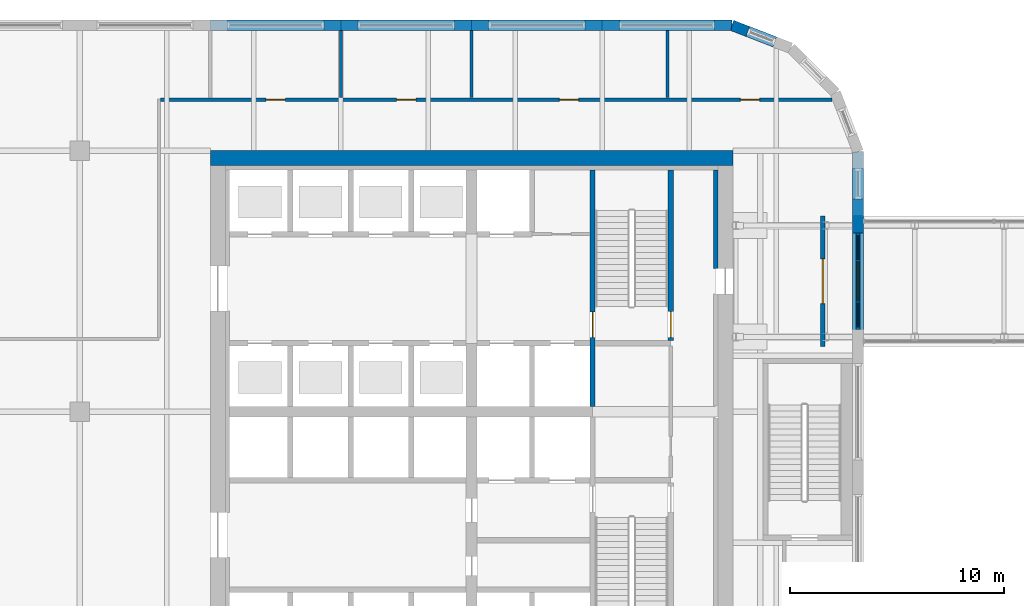
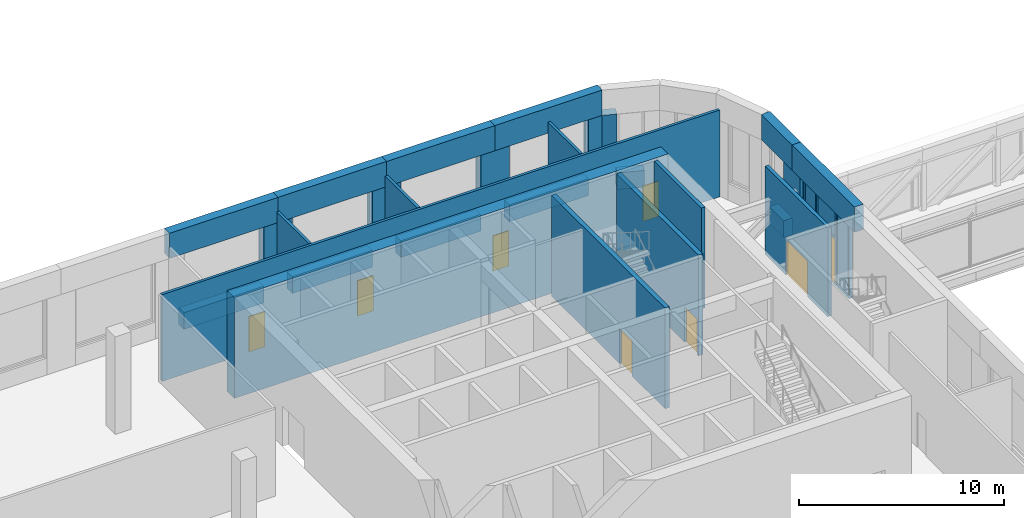
# One storey, part 25 of 36: 28 walls, 8 doors, 3 plates, 11 openings.
"""IFC4 building model written with IfcOpenShell, lengths in metres."""

import ifcopenshell
import ifcopenshell.guid

model = None  # the IFC model being written
_history = None  # IfcOwnerHistory: only IFC2X3 demands one
_inside = {}  # id of a spatial element -> (the spatial element, [elements in it])
_under = {}  # id of a project, library or spatial element -> (it, [spatial elements below it])
_declared = {}  # id of a project -> (the project, [libraries it declares])
_typed = {}  # id of a type object -> (the type object, [elements of that type])
_made_of = {}  # id of a material, layer set ... -> (it, [elements and type objects made of it])


def new_model(schema):
    """Start an empty IFC model of exactly this schema.

    Asked for "IFC4X3", IfcOpenShell would pick the latest addendum, in which some entities
    have other attributes; the version numbers below select the first issue.
    IFC2X3 requires an IfcOwnerHistory on every rooted entity: one is made here for all.
    """
    global model, _history
    if schema == "IFC4X3":
        model = ifcopenshell.file(schema_version=(4, 3, 0, 0))
    else:
        model = ifcopenshell.file(schema=schema)
    _inside.clear()
    _under.clear()
    _declared.clear()
    _typed.clear()
    _made_of.clear()
    _history = None
    if model.schema == "IFC2X3":
        org = make("IfcOrganization", Name="unknown")
        user = make(
            "IfcPersonAndOrganization",
            ThePerson=make("IfcPerson", FamilyName="unknown"),
            TheOrganization=org,
        )
        app = make(
            "IfcApplication",
            ApplicationDeveloper=org,
            Version="unknown",
            ApplicationFullName="unknown",
            ApplicationIdentifier="unknown",
        )
        _history = make(
            "IfcOwnerHistory",
            OwningUser=user,
            OwningApplication=app,
            ChangeAction="ADDED",
            CreationDate=0,
        )
    return model


def make(cls, **values):
    """One entity of the class cls with the attributes given. An attribute that is None is left unset."""
    return model.create_entity(
        cls, **{name: value for name, value in values.items() if value is not None}
    )


def rooted(cls, **values):
    """An entity with a GlobalId (a new one), such as an element, a storey or a relation."""
    return make(cls, GlobalId=ifcopenshell.guid.new(), OwnerHistory=_history, **values)


def si_unit(unit_type, name, prefix=None):
    """IfcSIUnit, for example si_unit("LENGTHUNIT", "METRE", prefix="MILLI")."""
    return make("IfcSIUnit", UnitType=unit_type, Prefix=prefix, Name=name)


def assignment(units):
    """IfcUnitAssignment: the units of a project."""
    return None if units is None else make("IfcUnitAssignment", Units=units)


def point(xyz):
    """IfcCartesianPoint."""
    return None if xyz is None else make("IfcCartesianPoint", Coordinates=xyz)


def direction(xyz):
    """IfcDirection."""
    return None if xyz is None else make("IfcDirection", DirectionRatios=xyz)


def frame(location, z_axis=None, x_axis=None):
    """IfcAxis2Placement3D, a coordinate frame: its origin and axes. An axis left out is left unset."""
    return make(
        "IfcAxis2Placement3D",
        Location=point(location),
        Axis=direction(z_axis),
        RefDirection=direction(x_axis),
    )


def frame_2d(location, x_axis=None):
    """IfcAxis2Placement2D, a coordinate frame in the plane: its origin and x axis."""
    return make(
        "IfcAxis2Placement2D", Location=point(location), RefDirection=direction(x_axis)
    )


def origin():
    """The frame at (0, 0, 0) with its axes left unset."""
    return frame((0.0, 0.0, 0.0))


def place(relative_to, where):
    """IfcLocalPlacement: puts the frame where relative to a parent placement (None: the world)."""
    return make(
        "IfcLocalPlacement", PlacementRelTo=relative_to, RelativePlacement=where
    )


def context(
    kind, dimensions, precision=None, world=None, true_north=None, identifier=None
):
    """IfcGeometricRepresentationContext, for example the 3D "Model" context."""
    return make(
        "IfcGeometricRepresentationContext",
        ContextIdentifier=identifier,
        ContextType=kind,
        CoordinateSpaceDimension=dimensions,
        Precision=precision,
        WorldCoordinateSystem=world,
        TrueNorth=true_north,
    )


def subcontext(parent, identifier, kind, view, scale=None):
    """IfcGeometricRepresentationSubContext, for example "Body" below "Model"."""
    return make(
        "IfcGeometricRepresentationSubContext",
        ContextIdentifier=identifier,
        ContextType=kind,
        ParentContext=parent,
        TargetScale=scale,
        TargetView=view,
    )


def project(units=None, contexts=None):
    """IfcProject with its units and contexts."""
    return rooted(
        "IfcProject",
        Name="project",
        RepresentationContexts=contexts,
        UnitsInContext=assignment(units),
    )


def spatial(cls, under=None, at=None, **own):
    """A site, building, storey or space (cls), placed at a placement, below another one or the project."""
    s = rooted(cls, ObjectPlacement=at, **own)
    if under is not None:
        _under.setdefault(under.id(), (under, []))[1].append(s)
    return s


def polyline(points):
    """IfcPolyline through the points."""
    return make("IfcPolyline", Points=[point(p) for p in points])


def profile(cls, at=None, kind="AREA", **sizes):
    """A parametric profile (cls). Its sizes go by their IFC names, for example OverallWidth=200.0."""
    return make(cls, ProfileType=kind, Position=at, **sizes)


def rectangle(**sizes):
    """IfcRectangleProfileDef."""
    return profile("IfcRectangleProfileDef", **sizes)


def outline(outer, holes=None, kind="AREA"):
    """IfcArbitraryClosedProfileDef: a profile drawn as a closed curve; with holes, ...WithVoids."""
    if holes is None:
        return make("IfcArbitraryClosedProfileDef", ProfileType=kind, OuterCurve=outer)
    return make(
        "IfcArbitraryProfileDefWithVoids",
        ProfileType=kind,
        OuterCurve=outer,
        InnerCurves=holes,
    )


def extrude(swept, where, along, depth):
    """IfcExtrudedAreaSolid: the profile swept, set in the frame where, extruded along a direction by depth."""
    return make(
        "IfcExtrudedAreaSolid",
        SweptArea=swept,
        Position=where,
        ExtrudedDirection=direction(along),
        Depth=depth,
    )


def faces_of(points, faces, orient=None, outer=None):
    """IfcFace entities. A face is a list of loops; a loop is a list of indices into points, from 0.

    orient and outer hold one flag for each loop. By default every Orientation is true, the
    first loop of a face is its IfcFaceOuterBound and the others are IfcFaceBound.
    """
    made = []
    for i, loops in enumerate(faces):
        bounds = []
        for j, loop in enumerate(loops):
            is_outer = j == 0 if outer is None else outer[i][j]
            bounds.append(
                make(
                    "IfcFaceOuterBound" if is_outer else "IfcFaceBound",
                    Bound=make("IfcPolyLoop", Polygon=[points[k] for k in loop]),
                    Orientation=True if orient is None else orient[i][j],
                )
            )
        made.append(make("IfcFace", Bounds=bounds))
    return made


def faceted_brep(points, faces, orient=None, outer=None, voids=None):
    """IfcFacetedBrep: a solid bounded by flat faces; with voids (closed shells), ...WithVoids."""
    shared = [point(p) for p in points]
    hull = make("IfcClosedShell", CfsFaces=faces_of(shared, faces, orient, outer))
    if voids is None:
        return make("IfcFacetedBrep", Outer=hull)
    return make(
        "IfcFacetedBrepWithVoids",
        Outer=hull,
        Voids=[
            make(cls, CfsFaces=faces_of(shared, fs, o, b)) for cls, fs, o, b in voids
        ],
    )


def shape(context_of_items, identifier, shape_type, items):
    """IfcShapeRepresentation: the items that make up one representation, for example the "Body"."""
    return make(
        "IfcShapeRepresentation",
        ContextOfItems=context_of_items,
        RepresentationIdentifier=identifier,
        RepresentationType=shape_type,
        Items=items,
    )


def source(mapping_origin, context_of_items, identifier, shape_type, items):
    """IfcRepresentationMap: a shape defined once, which mapped items show again and again."""
    return make(
        "IfcRepresentationMap",
        MappingOrigin=mapping_origin,
        MappedRepresentation=shape(context_of_items, identifier, shape_type, items),
    )


def transform(
    local_origin,
    x_axis=None,
    y_axis=None,
    z_axis=None,
    scale=None,
    scale2=None,
    scale3=None,
    uniform=True,
):
    """IfcCartesianTransformationOperator3D, or its non-uniform kind. x_axis, y_axis, z_axis: its Axis1, 2, 3."""
    if uniform:
        return make(
            "IfcCartesianTransformationOperator3D",
            Axis1=direction(x_axis),
            Axis2=direction(y_axis),
            LocalOrigin=point(local_origin),
            Scale=scale,
            Axis3=direction(z_axis),
        )
    return make(
        "IfcCartesianTransformationOperator3DnonUniform",
        Axis1=direction(x_axis),
        Axis2=direction(y_axis),
        LocalOrigin=point(local_origin),
        Scale=scale,
        Axis3=direction(z_axis),
        Scale2=scale2,
        Scale3=scale3,
    )


def mapped(mapping_source, mapping_target):
    """IfcMappedItem: shows the shape of a source again, moved by a transform."""
    return make(
        "IfcMappedItem", MappingSource=mapping_source, MappingTarget=mapping_target
    )


def material(Name=None, Category=None):
    """IfcMaterial."""
    return make("IfcMaterial", Name=Name, Category=Category)


def layer(
    of_material, thickness, ventilated=None, Name=None, Category=None, Priority=None
):
    """IfcMaterialLayer: one layer of a wall or slab, of a material (None: an air gap)."""
    return make(
        "IfcMaterialLayer",
        Material=of_material,
        LayerThickness=thickness,
        IsVentilated=ventilated,
        Name=Name,
        Category=Category,
        Priority=Priority,
    )


def layer_set(layers, Name=None):
    """IfcMaterialLayerSet."""
    return make("IfcMaterialLayerSet", MaterialLayers=layers, LayerSetName=Name)


def made_of(thing, what):
    """Note that an element or type object is made of a material, layer set ...; save() writes the relation."""
    if what is not None:
        _made_of.setdefault(what.id(), (what, []))[1].append(thing)
    return thing


def type_object(cls, material=None, **own):
    """A type object (cls), such as IfcWallType, which elements share."""
    return made_of(rooted(cls, **own), material)


def element(
    cls,
    number,
    at=None,
    inside=None,
    cuts=None,
    type_object=None,
    material=None,
    context=None,
    identifier="Body",
    shape_type=None,
    held_by="IfcProductDefinitionShape",
    body=None,
    shapes=None,
    **own,
):
    """One element of the class cls, such as IfcWall. Its Tag is "e" and its number.

    at: its placement. inside: the storey or other place that contains it. cuts: it is an
    opening in that element (IfcRelVoidsElement). A single representation is given by context,
    identifier, shape_type and body (its items); several are given by shapes. held_by: the class
    of the entity that holds the representations. save() writes the other relations.
    """
    e = rooted(cls, Tag="e%d" % number, ObjectPlacement=at, **own)
    if body is not None:
        shapes = [shape(context, identifier, shape_type, body)]
    if shapes is not None:
        e.Representation = make(held_by, Representations=shapes)
    if inside is not None:
        _inside.setdefault(inside.id(), (inside, []))[1].append(e)
    if cuts is not None:
        rooted(
            "IfcRelVoidsElement", RelatingBuildingElement=cuts, RelatedOpeningElement=e
        )
    if type_object is not None:
        _typed.setdefault(type_object.id(), (type_object, []))[1].append(e)
    return made_of(e, material)


def fill(opening, filler):
    """IfcRelFillsElement: the door or window that sits in an opening."""
    return rooted(
        "IfcRelFillsElement",
        RelatingOpeningElement=opening,
        RelatedBuildingElement=filler,
    )


def aggregate(whole, parts):
    """IfcRelAggregates: a whole, such as a stair, and the parts it consists of."""
    return rooted("IfcRelAggregates", RelatingObject=whole, RelatedObjects=parts)


def save(model, path):
    """Write the relations noted so far, then the file.

    IfcRelAggregates (storeys below a building ...), IfcRelContainedInSpatialStructure (elements
    in a storey), IfcRelDefinesByType, IfcRelAssociatesMaterial and IfcRelDeclares: one each for
    every whole, place, type object, material and project.
    """
    for whole, parts in _under.values():
        aggregate(whole, parts)
    for where, things in _inside.values():
        rooted(
            "IfcRelContainedInSpatialStructure",
            RelatedElements=things,
            RelatingStructure=where,
        )
    for kind, things in _typed.values():
        rooted("IfcRelDefinesByType", RelatedObjects=things, RelatingType=kind)
    for what, things in _made_of.values():
        rooted("IfcRelAssociatesMaterial", RelatedObjects=things, RelatingMaterial=what)
    for by, libraries in _declared.values():
        rooted("IfcRelDeclares", RelatingContext=by, RelatedDefinitions=libraries)
    model.write(path)


model = new_model("IFC4")

# Units and contexts
model_context = context("Model", 3, precision=1e-05, world=origin(), true_north=direction((0.0, 1.0)))
body_context = subcontext(model_context, "Body", "Model", "MODEL_VIEW")
ifc_project = project(units=[si_unit("LENGTHUNIT", "METRE"), si_unit("AREAUNIT", "SQUARE_METRE"), si_unit("VOLUMEUNIT", "CUBIC_METRE"), si_unit("PLANEANGLEUNIT", "RADIAN"), si_unit("MASSUNIT", "GRAM", prefix="KILO")], contexts=[model_context])

# Site, building, storey
site_placement = place(None, origin())
site = spatial("IfcSite", under=ifc_project, at=site_placement, CompositionType="ELEMENT")
building_placement = place(site_placement, origin())
building = spatial("IfcBuilding", under=site, at=building_placement, Name="Tessera Gate Towers", CompositionType="ELEMENT")
storey_placement = place(building_placement, frame((0.0, 0.0, 106.60009765625)))
storey = spatial("IfcBuildingStorey", under=building, at=storey_placement, Name="L26", CompositionType="ELEMENT", Elevation=106.60009765625)

# Wall, opening, door
ifc_material_1 = material(Name="Gypsum board on steel studs", Category="steel")
ifc_layer_1 = layer(ifc_material_1, 0.199951171875)
ifc_layer_set_1 = layer_set([ifc_layer_1], Name="BRIDGE LANDING WALL 200")
wall_type_1 = type_object("IfcWallType", Name="BRIDGE LANDING WALL 200", PredefinedType="PARTITIONING", material=ifc_layer_set_1)
wall_1_placement = place(storey_placement, frame((59.10009765625, 39.64990234375, 0.0), z_axis=(0.0, 0.0, 1.0), x_axis=(0.0, 1.0, 0.0)))
wall_1 = element("IfcWall", 1, at=wall_1_placement, inside=storey, type_object=wall_type_1, Name="L26 bridge landing wall", PredefinedType="PARTITIONING", context=body_context, shape_type="SweptSolid", body=[
    extrude(rectangle(XDim=6.10009765625, YDim=0.199951171875, at=frame_2d((3.050048828125, 0.0))), origin(), (0.0, 0.0, 1.0), 5.266845703125),
])
shared_shape_1 = source(origin(), body_context, "Body", "SweptSolid", [
    extrude(rectangle(XDim=2.10009765625, YDim=2.10009765625, at=frame_2d((1.050048828125, 1.050048828125))), frame((0.0, 0.10986328125, 0.0), z_axis=(0.0, -1.0, 0.0), x_axis=(1.0, 0.0, 0.0)), (0.0, 0.0, 1.0), 0.219970703125),
])
opening_1_placement = place(wall_1_placement, frame((2.0, 0.0, 0.0)))
opening_1 = element("IfcOpeningElement", 2, at=opening_1_placement, cuts=wall_1, Name="Opening XD-BR2-T1", PredefinedType="OPENING", context=body_context, shape_type="MappedRepresentation", body=[
    mapped(shared_shape_1, transform((0.0, 0.0, 0.0), scale=1.0)),
])
ifc_material_2 = material(Name="Hollow steel fire door", Category="steel")
door_type_1 = type_object("IfcDoorType", Name="CORE DOOR XD 2100x2100", OperationType="NOTDEFINED", PredefinedType="DOOR", material=ifc_material_2)
shared_shape_2 = source(origin(), body_context, "Body", "SweptSolid", [
    extrude(rectangle(XDim=2.10009765625, YDim=2.10009765625, at=frame_2d((1.050048828125, 1.050048828125))), frame((0.0, 0.02490234375, 0.0), z_axis=(0.0, -1.0, 0.0), x_axis=(1.0, 0.0, 0.0)), (0.0, 0.0, 1.0), 0.050048828125),
])
door_1_placement = place(opening_1_placement, origin())
door_1 = element("IfcDoor", 3, at=door_1_placement, inside=storey, type_object=door_type_1, Name="Bridge fire door", OperationType="DOUBLE_DOOR_SINGLE_SWING", OverallHeight=2.10009765625, OverallWidth=2.10009765625, PredefinedType="DOOR", context=body_context, shape_type="MappedRepresentation", body=[
    mapped(shared_shape_2, transform((0.0, 0.0, 0.0), scale=1.0)),
])
fill(opening_1, door_1)

ifc_material_3 = material(Name="Concrete C40/50", Category="concrete")
ifc_layer_2 = layer(ifc_material_3, 0.25)
ifc_layer_set_2 = layer_set([ifc_layer_2], Name="CORE ENCLOSURE WALL 250")
wall_type_2 = type_object("IfcWallType", Name="CORE ENCLOSURE WALL 250", PredefinedType="SOLIDWALL", material=ifc_layer_set_2)
wall_2_placement = place(storey_placement, frame((48.35009765625, 47.89990234375, 0.0), z_axis=(0.0, 0.0, 1.0), x_axis=(0.0, -1.0, 0.0)))
wall_2 = element("IfcWall", 4, at=wall_2_placement, inside=storey, type_object=wall_type_2, Name="L26 shaft and stair enclosure wall", PredefinedType="SOLIDWALL", context=body_context, shape_type="SweptSolid", body=[
    extrude(rectangle(XDim=11.0498046875, YDim=0.25, at=frame_2d((5.52490234375, 0.0))), origin(), (0.0, 0.0, 1.0), 6.0),
])
shared_shape_3 = source(origin(), body_context, "Body", "SweptSolid", [
    extrude(rectangle(XDim=1.199951171875, YDim=2.10009765625, at=frame_2d((0.60009765625, 1.050048828125))), frame((0.0, 0.135009765625, 0.0), z_axis=(0.0, -1.0, 0.0), x_axis=(1.0, 0.0, 0.0)), (0.0, 0.0, 1.0), 0.27001953125),
])
opening_2_placement = place(wall_2_placement, frame((6.625, 0.0, 0.0)))
opening_2 = element("IfcOpeningElement", 5, at=opening_2_placement, cuts=wall_2, Name="Opening SD-ST2-1", PredefinedType="OPENING", context=body_context, shape_type="MappedRepresentation", body=[
    mapped(shared_shape_3, transform((0.0, 0.0, 0.0), scale=1.0)),
])
ifc_material_4 = material(Name="Hollow steel fire door", Category="steel")
door_type_2 = type_object("IfcDoorType", Name="CORE DOOR SD 1200x2100", OperationType="NOTDEFINED", PredefinedType="DOOR", material=ifc_material_4)
shared_shape_4 = source(origin(), body_context, "Body", "SweptSolid", [
    extrude(rectangle(XDim=1.199951171875, YDim=2.10009765625, at=frame_2d((0.60009765625, 1.050048828125))), frame((0.0, 0.02490234375, 0.0), z_axis=(0.0, -1.0, 0.0), x_axis=(1.0, 0.0, 0.0)), (0.0, 0.0, 1.0), 0.050048828125),
])
door_2_placement = place(opening_2_placement, origin())
door_2 = element("IfcDoor", 6, at=door_2_placement, inside=storey, type_object=door_type_2, Name="Stair door", OperationType="SINGLE_SWING_RIGHT", OverallHeight=2.10009765625, OverallWidth=1.199951171875, PredefinedType="DOOR", context=body_context, shape_type="MappedRepresentation", body=[
    mapped(shared_shape_4, transform((0.0, 0.0, 0.0), scale=1.0)),
])
fill(opening_2, door_2)

wall_3_placement = place(storey_placement, frame((52.0, 39.925048828125, 0.0), z_axis=(0.0, 0.0, 1.0), x_axis=(0.0, 1.0, 0.0)))
wall_3 = element("IfcWall", 7, at=wall_3_placement, inside=storey, type_object=wall_type_2, Name="L26 shaft and stair enclosure wall", PredefinedType="SOLIDWALL", context=body_context, shape_type="SweptSolid", body=[
    extrude(rectangle(XDim=7.974853515625, YDim=0.25, at=frame_2d((3.9873046875, 0.0))), origin(), (0.0, 0.0, 1.0), 6.0),
])
opening_3_placement = place(wall_3_placement, frame((0.14990234375, 0.0, 0.0)))
opening_3 = element("IfcOpeningElement", 8, at=opening_3_placement, cuts=wall_3, Name="Opening SD-ST2-2", PredefinedType="OPENING", context=body_context, shape_type="MappedRepresentation", body=[
    mapped(shared_shape_3, transform((0.0, 0.0, 0.0), scale=1.0)),
])
door_3_placement = place(opening_3_placement, origin())
door_3 = element("IfcDoor", 9, at=door_3_placement, inside=storey, type_object=door_type_2, Name="Stair door", OperationType="SINGLE_SWING_LEFT", OverallHeight=2.10009765625, OverallWidth=1.199951171875, PredefinedType="DOOR", context=body_context, shape_type="MappedRepresentation", body=[
    mapped(shared_shape_4, transform((0.0, 0.0, 0.0), scale=1.0)),
])
fill(opening_3, door_3)

# Walls
ifc_material_5 = material(Name="Concrete C60/75", Category="concrete")
ifc_layer_3 = layer(ifc_material_5, 0.699951171875)
ifc_layer_set_3 = layer_set([ifc_layer_3], Name="CORE SHEAR WALL 700 C60/75")
wall_type_3 = type_object("IfcWallType", Name="CORE SHEAR WALL 700 C60/75", PredefinedType="SHEAR", material=ifc_layer_set_3)
wall_4_placement = place(storey_placement, frame((30.5, 48.449951171875, 0.0), z_axis=(0.0, 0.0, 1.0), x_axis=(1.0, 0.0, 0.0)))
element("IfcWall", 10, at=wall_4_placement, inside=storey, type_object=wall_type_3, Name="Core wall N L26", PredefinedType="SHEAR", context=body_context, shape_type="SweptSolid", body=[
    extrude(rectangle(XDim=24.39990234375, YDim=0.699951171875, at=frame_2d((12.199951171875, 0.0))), origin(), (0.0, 0.0, 1.0), 6.0),
])
ifc_material_6 = material(Name="Concrete C60/75", Category="concrete")
ifc_layer_4 = layer(ifc_material_6, 0.199951171875)
ifc_layer_set_4 = layer_set([ifc_layer_4], Name="CORE WALL THICKENING 200")
wall_type_4 = type_object("IfcWallType", Name="CORE WALL THICKENING 200", PredefinedType="SOLIDWALL", material=ifc_layer_set_4)
wall_5_placement = place(storey_placement, frame((54.10009765625, 43.300048828125, 0.0), z_axis=(0.0, 0.0, 1.0), x_axis=(0.0, 1.0, 0.0)))
element("IfcWall", 11, at=wall_5_placement, inside=storey, type_object=wall_type_4, Name="Core wall thickening E L26", PredefinedType="SOLIDWALL", context=body_context, shape_type="SweptSolid", body=[
    extrude(rectangle(XDim=4.599853515625, YDim=0.199951171875, at=frame_2d((2.2998046875, 0.0))), origin(), (0.0, 0.0, 1.0), 6.0),
])

# Wall, openings, doors
ifc_material_7 = material(Name="Gypsum board on steel studs, mineral wool", Category="steel")
ifc_layer_5 = layer(ifc_material_7, 0.14990234375)
ifc_layer_set_5 = layer_set([ifc_layer_5], Name="CORRIDOR WALL 150")
wall_type_5 = type_object("IfcWallType", Name="CORRIDOR WALL 150", PredefinedType="PARTITIONING", material=ifc_layer_set_5)
wall_6_placement = place(storey_placement, frame((28.176025390625, 51.179931640625, 0.0), z_axis=(0.0, 0.0, 1.0), x_axis=(1.0, 0.0, 0.0)))
wall_6 = element("IfcWall", 12, at=wall_6_placement, inside=storey, type_object=wall_type_5, Name="T1-L26-PW-021", PredefinedType="PARTITIONING", context=body_context, shape_type="SweptSolid", body=[
    extrude(rectangle(XDim=31.3623046875, YDim=0.14990234375, at=frame_2d((15.68115234375, 0.0))), origin(), (0.0, 0.0, 1.0), 5.1669921875),
])
shared_shape_5 = source(origin(), body_context, "Body", "SweptSolid", [
    extrude(rectangle(XDim=0.89990234375, YDim=2.10009765625, at=frame_2d((0.449951171875, 1.050048828125))), frame((0.0, 0.0849609375, 0.0), z_axis=(0.0, -1.0, 0.0), x_axis=(1.0, 0.0, 0.0)), (0.0, 0.0, 1.0), 0.169921875),
])
opening_4_placement = place(wall_6_placement, frame((11.02490234375, 0.0, 0.0)))
opening_4 = element("IfcOpeningElement", 13, at=opening_4_placement, cuts=wall_6, Name="Opening D890FD60-A33-01", PredefinedType="OPENING", context=body_context, shape_type="MappedRepresentation", body=[
    mapped(shared_shape_5, transform((0.0, 0.0, 0.0), scale=1.0)),
])
opening_5_placement = place(wall_6_placement, frame((4.924072265625, 0.0, 0.0)))
opening_5 = element("IfcOpeningElement", 14, at=opening_5_placement, cuts=wall_6, Name="Opening D890FD60-A33-02", PredefinedType="OPENING", context=body_context, shape_type="MappedRepresentation", body=[
    mapped(shared_shape_5, transform((0.0, 0.0, 0.0), scale=1.0)),
])
opening_6_placement = place(wall_6_placement, frame((27.074951171875, 0.0, 0.0)))
opening_6 = element("IfcOpeningElement", 15, at=opening_6_placement, cuts=wall_6, Name="Opening D890FD60-A33-04", PredefinedType="OPENING", context=body_context, shape_type="MappedRepresentation", body=[
    mapped(shared_shape_5, transform((0.0, 0.0, 0.0), scale=1.0)),
])
opening_7_placement = place(wall_6_placement, frame((18.6240234375, 0.0, 0.0)))
opening_7 = element("IfcOpeningElement", 16, at=opening_7_placement, cuts=wall_6, Name="Opening D890FD60-A33-06", PredefinedType="OPENING", context=body_context, shape_type="MappedRepresentation", body=[
    mapped(shared_shape_5, transform((0.0, 0.0, 0.0), scale=1.0)),
])
ifc_material_8 = material(Name="Timber door leaf in steel frame", Category="steel")
door_type_3 = type_object("IfcDoorType", Name="CORRIDOR DOOR 900 FD60", OperationType="NOTDEFINED", PredefinedType="DOOR", material=ifc_material_8)
shared_shape_6 = source(origin(), body_context, "Body", "SweptSolid", [
    extrude(rectangle(XDim=0.89990234375, YDim=2.10009765625, at=frame_2d((0.449951171875, 1.050048828125))), frame((0.0, 0.02490234375, 0.0), z_axis=(0.0, -1.0, 0.0), x_axis=(1.0, 0.0, 0.0)), (0.0, 0.0, 1.0), 0.050048828125),
])
door_4_placement = place(opening_4_placement, origin())
door_4 = element("IfcDoor", 17, at=door_4_placement, inside=storey, type_object=door_type_3, Name="T1-L26-PD-003", OperationType="SINGLE_SWING_LEFT", OverallHeight=2.10009765625, OverallWidth=0.89990234375, PredefinedType="DOOR", context=body_context, shape_type="MappedRepresentation", body=[
    mapped(shared_shape_6, transform((0.0, 0.0, 0.0), scale=1.0)),
])
fill(opening_4, door_4)
door_5_placement = place(opening_5_placement, origin())
door_5 = element("IfcDoor", 18, at=door_5_placement, inside=storey, type_object=door_type_3, Name="T1-L26-PD-004", OperationType="SINGLE_SWING_LEFT", OverallHeight=2.10009765625, OverallWidth=0.89990234375, PredefinedType="DOOR", context=body_context, shape_type="MappedRepresentation", body=[
    mapped(shared_shape_6, transform((0.0, 0.0, 0.0), scale=1.0)),
])
fill(opening_5, door_5)
door_6_placement = place(opening_6_placement, origin())
door_6 = element("IfcDoor", 19, at=door_6_placement, inside=storey, type_object=door_type_3, Name="T1-L26-PD-006", OperationType="SINGLE_SWING_LEFT", OverallHeight=2.10009765625, OverallWidth=0.89990234375, PredefinedType="DOOR", context=body_context, shape_type="MappedRepresentation", body=[
    mapped(shared_shape_6, transform((0.0, 0.0, 0.0), scale=1.0)),
])
fill(opening_6, door_6)
door_7_placement = place(opening_7_placement, origin())
door_7 = element("IfcDoor", 20, at=door_7_placement, inside=storey, type_object=door_type_3, Name="T1-L26-PD-008", OperationType="SINGLE_SWING_LEFT", OverallHeight=2.10009765625, OverallWidth=0.89990234375, PredefinedType="DOOR", context=body_context, shape_type="MappedRepresentation", body=[
    mapped(shared_shape_6, transform((0.0, 0.0, 0.0), scale=1.0)),
])
fill(opening_7, door_7)

# Walls
ifc_material_9 = material(Name="Gypsum board on steel studs, mineral wool", Category="steel")
ifc_layer_6 = layer(ifc_material_9, 0.14990234375)
ifc_layer_set_6 = layer_set([ifc_layer_6], Name="TENANCY WALL 150")
wall_type_6 = type_object("IfcWallType", Name="TENANCY WALL 150", PredefinedType="PARTITIONING", material=ifc_layer_set_6)
for number, where, z_axis, x_axis, name in (
    (21, (36.60009765625, 51.27587890625, 0.0), (0.0, 0.0, 1.0), (0.0, 1.0, 0.0), "T1-L26-PW-023"),
    (22, (42.699951171875, 51.27587890625, 0.0), (0.0, 0.0, 1.0), (0.0, 1.0, 0.0), "T1-L26-PW-024"),
    (23, (51.85009765625, 51.27587890625, 0.0), (0.0, 0.0, 1.0), (0.0, 1.0, 0.0), "T1-L26-PW-025"),
):
    element("IfcWall", number, at=place(storey_placement, frame(where, z_axis=z_axis, x_axis=x_axis)), inside=storey, type_object=wall_type_6, Name=name, PredefinedType="PARTITIONING", context=body_context, shape_type="SweptSolid", body=[
        extrude(rectangle(XDim=3.1240234375, YDim=0.14990234375, at=frame_2d((1.56201171875, 0.0))), origin(), (0.0, 0.0, 1.0), 5.1669921875),
    ])

# Wall, openings, plates, door
ifc_material_10 = material(Name="Aluminium storefront glazing", Category="aluminium")
ifc_layer_7 = layer(ifc_material_10, 0.199951171875)
ifc_layer_set_7 = layer_set([ifc_layer_7], Name="WS3 fire rated bay wall")
wall_type_7 = type_object("IfcWallType", Name="WS3 fire rated bay wall", PredefinedType="PARTITIONING", material=ifc_layer_set_7)
wall_7_placement = place(storey_placement, frame((60.75, 40.449951171875, 0.0), z_axis=(0.0, 0.0, 1.0), x_axis=(0.0, 1.0, 0.0)))
wall_7 = element("IfcWall", 24, at=wall_7_placement, inside=storey, type_object=wall_type_7, Name="Storefront bay wall T1 WS3-0001", PredefinedType="PARTITIONING", context=body_context, shape_type="SweptSolid", body=[
    extrude(rectangle(XDim=4.5, YDim=0.199951171875, at=frame_2d((2.25, 0.0))), origin(), (0.0, 0.0, 1.0), 4.5),
])
shared_shape_7 = source(origin(), body_context, "Body", "SweptSolid", [
    extrude(rectangle(XDim=1.800048828125, YDim=2.699951171875, at=frame_2d((0.89990234375, 1.35009765625))), frame((0.0, 0.10986328125, 0.0), z_axis=(0.0, -1.0, 0.0), x_axis=(1.0, 0.0, 0.0)), (0.0, 0.0, 1.0), 0.219970703125),
])
opening_8_placement = place(wall_7_placement, frame((1.35009765625, 0.0, 0.0)))
opening_8 = element("IfcOpeningElement", 25, at=opening_8_placement, cuts=wall_7, Name="Opening D-E105", PredefinedType="OPENING", context=body_context, shape_type="MappedRepresentation", body=[
    mapped(shared_shape_7, transform((0.0, 0.0, 0.0), scale=1.0)),
])
shared_shape_8 = source(origin(), body_context, "Body", "SweptSolid", [
    extrude(outline(polyline([(0.1201171875, 0.099853515625), (1.22998046875, 0.099853515625), (1.22998046875, 4.39990234375), (0.1201171875, 4.39990234375), (0.1201171875, 0.099853515625)])), frame((0.0, 0.10986328125, 0.0), z_axis=(0.0, -1.0, 0.0), x_axis=(1.0, 0.0, 0.0)), (0.0, 0.0, 1.0), 0.219970703125),
])
opening_9_placement = place(wall_7_placement, origin())
opening_9 = element("IfcOpeningElement", 26, at=opening_9_placement, cuts=wall_7, Name="Opening T1-PL3-0015", PredefinedType="OPENING", context=body_context, shape_type="MappedRepresentation", body=[
    mapped(shared_shape_8, transform((0.0, 0.0, 0.0), scale=1.0)),
])
shared_shape_9 = source(origin(), body_context, "Body", "SweptSolid", [
    extrude(outline(polyline([(3.27001953125, 0.099853515625), (4.3798828125, 0.099853515625), (4.3798828125, 4.39990234375), (3.27001953125, 4.39990234375), (3.27001953125, 0.099853515625)])), frame((0.0, 0.10986328125, 0.0), z_axis=(0.0, -1.0, 0.0), x_axis=(1.0, 0.0, 0.0)), (0.0, 0.0, 1.0), 0.219970703125),
])
opening_10_placement = place(wall_7_placement, origin())
opening_10 = element("IfcOpeningElement", 27, at=opening_10_placement, cuts=wall_7, Name="Opening T1-PL3-0016", PredefinedType="OPENING", context=body_context, shape_type="MappedRepresentation", body=[
    mapped(shared_shape_9, transform((0.0, 0.0, 0.0), scale=1.0)),
])
shared_shape_10 = source(origin(), body_context, "Body", "SweptSolid", [
    extrude(outline(polyline([(1.35009765625, 2.81982421875), (3.14990234375, 2.81982421875), (3.14990234375, 4.39990234375), (1.35009765625, 4.39990234375), (1.35009765625, 2.81982421875)])), frame((0.0, 0.10986328125, 0.0), z_axis=(0.0, -1.0, 0.0), x_axis=(1.0, 0.0, 0.0)), (0.0, 0.0, 1.0), 0.219970703125),
])
opening_11_placement = place(wall_7_placement, origin())
opening_11 = element("IfcOpeningElement", 28, at=opening_11_placement, cuts=wall_7, Name="Opening T1-PL3-0017", PredefinedType="OPENING", context=body_context, shape_type="MappedRepresentation", body=[
    mapped(shared_shape_10, transform((0.0, 0.0, 0.0), scale=1.0)),
])
ifc_material_11 = material(Name="Low-e laminated glass", Category="glass")
ifc_layer_8 = layer(ifc_material_11, 0.06005859375)
ifc_layer_set_8 = layer_set([ifc_layer_8], Name="PL3 storefront pane")
plate_type = type_object("IfcPlateType", Name="PL3 storefront pane", PredefinedType="SHEET", material=ifc_layer_set_8)
shared_shape_11 = source(origin(), body_context, "Body", "SweptSolid", [
    extrude(outline(polyline([(0.1201171875, 0.099853515625), (1.22998046875, 0.099853515625), (1.22998046875, 4.39990234375), (0.1201171875, 4.39990234375), (0.1201171875, 0.099853515625)])), frame((0.0, 0.030029296875, 0.0), z_axis=(0.0, -1.0, 0.0), x_axis=(1.0, 0.0, 0.0)), (0.0, 0.0, 1.0), 0.06005859375),
])
plate_1_placement = place(opening_9_placement, origin())
plate_1 = element("IfcPlate", 29, at=plate_1_placement, inside=storey, type_object=plate_type, Name="Glass pane T1 PL3-0015", PredefinedType="SHEET", context=body_context, shape_type="MappedRepresentation", body=[
    mapped(shared_shape_11, transform((0.0, 0.0, 0.0), scale=1.0)),
])
fill(opening_9, plate_1)
shared_shape_12 = source(origin(), body_context, "Body", "SweptSolid", [
    extrude(outline(polyline([(3.27001953125, 0.099853515625), (4.3798828125, 0.099853515625), (4.3798828125, 4.39990234375), (3.27001953125, 4.39990234375), (3.27001953125, 0.099853515625)])), frame((0.0, 0.030029296875, 0.0), z_axis=(0.0, -1.0, 0.0), x_axis=(1.0, 0.0, 0.0)), (0.0, 0.0, 1.0), 0.06005859375),
])
plate_2_placement = place(opening_10_placement, origin())
plate_2 = element("IfcPlate", 30, at=plate_2_placement, inside=storey, type_object=plate_type, Name="Glass pane T1 PL3-0016", PredefinedType="SHEET", context=body_context, shape_type="MappedRepresentation", body=[
    mapped(shared_shape_12, transform((0.0, 0.0, 0.0), scale=1.0)),
])
fill(opening_10, plate_2)
shared_shape_13 = source(origin(), body_context, "Body", "SweptSolid", [
    extrude(outline(polyline([(1.35009765625, 2.81982421875), (3.14990234375, 2.81982421875), (3.14990234375, 4.39990234375), (1.35009765625, 4.39990234375), (1.35009765625, 2.81982421875)])), frame((0.0, 0.030029296875, 0.0), z_axis=(0.0, -1.0, 0.0), x_axis=(1.0, 0.0, 0.0)), (0.0, 0.0, 1.0), 0.06005859375),
])
plate_3_placement = place(opening_11_placement, origin())
plate_3 = element("IfcPlate", 31, at=plate_3_placement, inside=storey, type_object=plate_type, Name="Glass pane T1 PL3-0017", PredefinedType="SHEET", context=body_context, shape_type="MappedRepresentation", body=[
    mapped(shared_shape_13, transform((0.0, 0.0, 0.0), scale=1.0)),
])
fill(opening_11, plate_3)
ifc_material_12 = material(Name="Steel and glass fire door", Category="steel")
ifc_layer_9 = layer(ifc_material_12, 0.06005859375)
ifc_layer_set_9 = layer_set([ifc_layer_9], Name="DL3 bridge door")
door_type_4 = type_object("IfcDoorType", Name="DL3 bridge door", OperationType="DOUBLE_DOOR_SINGLE_SWING", PredefinedType="DOOR", material=ifc_layer_set_9)
shared_shape_14 = source(origin(), body_context, "Body", "SweptSolid", [
    extrude(rectangle(XDim=1.800048828125, YDim=2.699951171875, at=frame_2d((0.89990234375, 1.35009765625))), frame((0.0, 0.030029296875, 0.0), z_axis=(0.0, -1.0, 0.0), x_axis=(1.0, 0.0, 0.0)), (0.0, 0.0, 1.0), 0.06005859375),
])
door_8_placement = place(opening_8_placement, origin())
door_8 = element("IfcDoor", 32, at=door_8_placement, inside=storey, type_object=door_type_4, Name="Bridge door D-E105", OperationType="DOUBLE_DOOR_SINGLE_SWING", OverallHeight=2.699951171875, OverallWidth=1.800048828125, PredefinedType="DOOR", context=body_context, shape_type="MappedRepresentation", body=[
    mapped(shared_shape_14, transform((0.0, 0.0, 0.0), scale=1.0)),
])
fill(opening_8, door_8)

# Walls
ifc_material_13 = material(Name="Precast concrete C60/75 white", Category="concrete")
ifc_layer_10 = layer(ifc_material_13, 0.5)
ifc_layer_set_10 = layer_set([ifc_layer_10], Name="RB1 ring band panel")
wall_type_8 = type_object("IfcWallType", Name="RB1 ring band panel", PredefinedType="SOLIDWALL", material=ifc_layer_set_10)
shared_shape_15 = source(origin(), body_context, "Body", "Brep", [
    faceted_brep([(0.0, -0.25, 0.0), (0.800048828125, -0.25, 0.0), (0.800048828125, -0.25, 4.5), (0.0, -0.25, 4.5), (0.046630859375, 0.25, 4.5), (0.800048828125, 0.25, 4.5), (0.800048828125, 0.25, 0.0), (0.046630859375, 0.25, 0.0), (0.0, 0.0, 0.0), (0.0, 0.0, 4.5)], [[[0, 1, 2, 3]], [[4, 5, 6, 7]], [[7, 6, 1, 0, 8]], [[5, 4, 9, 3, 2]], [[8, 0, 3, 9]], [[7, 8, 9, 4]], [[1, 6, 5, 2]]]),
])
wall_8_placement = place(storey_placement, frame((54.853515625, 54.64990234375, 0.0), z_axis=(0.0, 0.0, 1.0), x_axis=(-1.0, 0.0, 0.0)))
element("IfcWall", 33, at=wall_8_placement, inside=storey, type_object=wall_type_8, Name="Ring band panel T1 RB1-0158", PredefinedType="SOLIDWALL", context=body_context, shape_type="MappedRepresentation", body=[
    mapped(shared_shape_15, transform((0.0, 0.0, 0.0), scale=1.0)),
])
shared_shape_16 = source(origin(), body_context, "Body", "Brep", [
    faceted_brep([(0.0, -0.25, 0.0), (1.599853515625, -0.25, 0.0), (1.599853515625, -0.25, 4.5), (0.0, -0.25, 4.5), (0.0, 0.25, 4.5), (1.599853515625, 0.25, 4.5), (1.599853515625, 0.25, 0.0), (0.0, 0.25, 0.0)], [[[0, 1, 2, 3]], [[4, 5, 6, 7]], [[7, 6, 1, 0]], [[5, 4, 3, 2]], [[4, 7, 0, 3]], [[1, 6, 5, 2]]]),
])
wall_9_placement = place(storey_placement, frame((37.39990234375, 54.64990234375, 0.0), z_axis=(0.0, 0.0, 1.0), x_axis=(-1.0, 0.0, 0.0)))
element("IfcWall", 34, at=wall_9_placement, inside=storey, type_object=wall_type_8, Name="Ring band panel T1 RB1-0161", PredefinedType="SOLIDWALL", context=body_context, shape_type="MappedRepresentation", body=[
    mapped(shared_shape_16, transform((0.0, 0.0, 0.0), scale=1.0)),
])
shared_shape_17 = source(origin(), body_context, "Body", "SweptSolid", [
    extrude(outline(polyline([(0.0, 0.0), (1.60009765625, 0.0), (1.60009765625, 4.5), (0.0, 4.5), (0.0, 0.0)])), frame((0.0, 0.25, 0.0), z_axis=(0.0, -1.0, 0.0), x_axis=(1.0, 0.0, 0.0)), (0.0, 0.0, 1.0), 0.5),
])
for number, where, z_axis, x_axis, name in (
    (35, (60.75, 44.949951171875, 0.0), (0.0, 0.0, 1.0), (0.0, 1.0, 0.0), "Ring band panel T1 RB1-0129"),
    (36, (49.60009765625, 54.64990234375, 0.0), (0.0, 0.0, 1.0), (-1.0, 0.0, 0.0), "Ring band panel T1 RB1-0159"),
    (37, (43.5, 54.64990234375, 0.0), (0.0, 0.0, 1.0), (-1.0, 0.0, 0.0), "Ring band panel T1 RB1-0160"),
):
    element("IfcWall", number, at=place(storey_placement, frame(where, z_axis=z_axis, x_axis=x_axis)), inside=storey, type_object=wall_type_8, Name=name, PredefinedType="SOLIDWALL", context=body_context, shape_type="MappedRepresentation", body=[
        mapped(shared_shape_17, transform((0.0, 0.0, 0.0), scale=1.0)),
    ])
shared_shape_18 = source(origin(), body_context, "Body", "SweptSolid", [
    extrude(outline(polyline([(0.0, 0.0), (4.453369140625, 0.0), (4.453369140625, 1.0), (0.0, 1.0), (0.0, 0.0)])), frame((0.0, 0.25, 0.0), z_axis=(0.0, -1.0, 0.0), x_axis=(1.0, 0.0, 0.0)), (0.0, 0.0, 1.0), 0.5),
])
wall_10_placement = place(storey_placement, frame((54.053466796875, 54.64990234375, 0.0), z_axis=(0.0, 0.0, 1.0), x_axis=(-1.0, 0.0, 0.0)))
element("IfcWall", 38, at=wall_10_placement, inside=storey, type_object=wall_type_8, Name="Ring band panel T1 RB1-0167", PredefinedType="SOLIDWALL", context=body_context, shape_type="MappedRepresentation", body=[
    mapped(shared_shape_18, transform((0.0, 0.0, 0.0), scale=1.0)),
])
shared_shape_19 = source(origin(), body_context, "Body", "Brep", [
    faceted_brep([(0.0, -0.25, 0.0), (6.053466796875, -0.25, 0.0), (6.053466796875, -0.25, 1.5), (0.0, -0.25, 1.5), (0.046630859375, 0.25, 1.5), (6.053466796875, 0.25, 1.5), (6.053466796875, 0.25, 0.0), (0.046630859375, 0.25, 0.0), (0.0, 0.0, 0.0), (0.0, 0.0, 1.5)], [[[0, 1, 2, 3]], [[4, 5, 6, 7]], [[7, 6, 1, 0, 8]], [[5, 4, 9, 3, 2]], [[8, 0, 3, 9]], [[7, 8, 9, 4]], [[1, 6, 5, 2]]]),
])
wall_11_placement = place(storey_placement, frame((54.853515625, 54.64990234375, 4.5), z_axis=(0.0, 0.0, 1.0), x_axis=(-1.0, 0.0, 0.0)))
element("IfcWall", 39, at=wall_11_placement, inside=storey, type_object=wall_type_8, Name="Ring band panel T1 RB1-0168", PredefinedType="SOLIDWALL", context=body_context, shape_type="MappedRepresentation", body=[
    mapped(shared_shape_19, transform((0.0, 0.0, 0.0), scale=1.0)),
])
shared_shape_20 = source(origin(), body_context, "Body", "SweptSolid", [
    extrude(outline(polyline([(0.0, 0.0), (4.5, 0.0), (4.5, 1.0), (0.0, 1.0), (0.0, 0.0)])), frame((0.0, 0.25, 0.0), z_axis=(0.0, -1.0, 0.0), x_axis=(1.0, 0.0, 0.0)), (0.0, 0.0, 1.0), 0.5),
])
for number, where, z_axis, x_axis, name in (
    (40, (48.0, 54.64990234375, 0.0), (0.0, 0.0, 1.0), (-1.0, 0.0, 0.0), "Ring band panel T1 RB1-0169"),
    (41, (41.89990234375, 54.64990234375, 0.0), (0.0, 0.0, 1.0), (-1.0, 0.0, 0.0), "Ring band panel T1 RB1-0171"),
    (42, (35.800048828125, 54.64990234375, 0.0), (0.0, 0.0, 1.0), (-1.0, 0.0, 0.0), "Ring band panel T1 RB1-0173"),
):
    element("IfcWall", number, at=place(storey_placement, frame(where, z_axis=z_axis, x_axis=x_axis)), inside=storey, type_object=wall_type_8, Name=name, PredefinedType="SOLIDWALL", context=body_context, shape_type="MappedRepresentation", body=[
        mapped(shared_shape_20, transform((0.0, 0.0, 0.0), scale=1.0)),
    ])
shared_shape_21 = source(origin(), body_context, "Body", "Brep", [
    faceted_brep([(0.0, -0.25, 0.0), (6.099853515625, -0.25, 0.0), (6.099853515625, -0.25, 1.5), (0.0, -0.25, 1.5), (0.0, 0.25, 1.5), (6.099853515625, 0.25, 1.5), (6.099853515625, 0.25, 0.0), (0.0, 0.25, 0.0)], [[[0, 1, 2, 3]], [[4, 5, 6, 7]], [[7, 6, 1, 0]], [[5, 4, 3, 2]], [[4, 7, 0, 3]], [[1, 6, 5, 2]]]),
])
wall_12_placement = place(storey_placement, frame((42.699951171875, 54.64990234375, 4.5), z_axis=(0.0, 0.0, 1.0), x_axis=(-1.0, 0.0, 0.0)))
element("IfcWall", 43, at=wall_12_placement, inside=storey, type_object=wall_type_8, Name="Ring band panel T1 RB1-0172", PredefinedType="SOLIDWALL", context=body_context, shape_type="MappedRepresentation", body=[
    mapped(shared_shape_21, transform((0.0, 0.0, 0.0), scale=1.0)),
])
shared_shape_22 = source(origin(), body_context, "Body", "SweptSolid", [
    extrude(outline(polyline([(0.0, 0.0), (6.10009765625, 0.0), (6.10009765625, 1.5), (0.0, 1.5), (0.0, 0.0)])), frame((0.0, 0.25, 0.0), z_axis=(0.0, -1.0, 0.0), x_axis=(1.0, 0.0, 0.0)), (0.0, 0.0, 1.0), 0.5),
])
for number, where, z_axis, x_axis, name in (
    (44, (60.75, 39.64990234375, 4.5), (0.0, 0.0, 1.0), (0.0, 1.0, 0.0), "Ring band panel T1 RB1-0143"),
    (45, (48.800048828125, 54.64990234375, 4.5), (0.0, 0.0, 1.0), (-1.0, 0.0, 0.0), "Ring band panel T1 RB1-0170"),
    (46, (36.60009765625, 54.64990234375, 4.5), (0.0, 0.0, 1.0), (-1.0, 0.0, 0.0), "Ring band panel T1 RB1-0174"),
):
    element("IfcWall", number, at=place(storey_placement, frame(where, z_axis=z_axis, x_axis=x_axis)), inside=storey, type_object=wall_type_8, Name=name, PredefinedType="SOLIDWALL", context=body_context, shape_type="MappedRepresentation", body=[
        mapped(shared_shape_22, transform((0.0, 0.0, 0.0), scale=1.0)),
    ])
shared_shape_23 = source(origin(), body_context, "Body", "SweptSolid", [
    extrude(outline(polyline([(0.0, 0.0), (1.3505859375, 0.0), (1.3505859375, 1.0), (0.0, 1.0), (0.0, 0.0)])), frame((0.0, 0.25, 0.0), z_axis=(0.0, -1.0, 0.0), x_axis=(1.0, 0.0, 0.0)), (0.0, 0.0, 1.0), 0.5),
])
wall_13_placement = place(storey_placement, frame((56.85986328125, 53.8759765625, 0.0), z_axis=(0.0, 0.0, 1.0), x_axis=(-0.932981713512, 0.359923772835, 0.0)))
element("IfcWall", 47, at=wall_13_placement, inside=storey, type_object=wall_type_8, Name="Ring band panel T1 RB1-0156", PredefinedType="SOLIDWALL", context=body_context, shape_type="MappedRepresentation", body=[
    mapped(shared_shape_23, transform((0.0, 0.0, 0.0), scale=1.0)),
])
shared_shape_24 = source(origin(), body_context, "Body", "Brep", [
    faceted_brep([(0.0, -0.25, 0.0), (0.800048828125, -0.25, 0.0), (0.800048828125, -0.25, 4.5), (0.0, -0.25, 4.5), (0.0, 0.25, 4.5), (0.75341796875, 0.25, 4.5), (0.75341796875, 0.25, 0.0), (0.0, 0.25, 0.0), (0.800048828125, -0.000244140625, 0.0), (0.800048828125, -0.000244140625, 4.5)], [[[0, 1, 2, 3]], [[4, 5, 6, 7]], [[7, 6, 8, 1, 0]], [[9, 2, 1, 8]], [[5, 4, 3, 2, 9]], [[4, 7, 0, 3]], [[8, 6, 5, 9]]]),
])
wall_14_placement = place(storey_placement, frame((55.599853515625, 54.362060546875, 0.0), z_axis=(0.0, 0.0, 1.0), x_axis=(-0.93301483327, 0.3598379092, 0.0)))
element("IfcWall", 48, at=wall_14_placement, inside=storey, type_object=wall_type_8, Name="Ring band panel T1 RB1-0155", PredefinedType="SOLIDWALL", context=body_context, shape_type="MappedRepresentation", body=[
    mapped(shared_shape_24, transform((0.0, 0.0, 0.0), scale=1.0)),
])
shared_shape_25 = source(origin(), body_context, "Body", "Brep", [
    faceted_brep([(0.0, -0.25, 0.0), (1.4033203125, -0.25, 0.0), (1.4033203125, -0.25, 1.0), (0.0, -0.25, 1.0), (0.0, 0.25, 1.0), (1.4033203125, 0.25, 1.0), (1.4033203125, 0.25, 0.0), (0.0, 0.25, 0.0)], [[[0, 1, 2, 3]], [[4, 5, 6, 7]], [[7, 6, 1, 0]], [[5, 4, 3, 2]], [[4, 7, 0, 3]], [[1, 6, 5, 2]]]),
])
wall_15_placement = place(storey_placement, frame((60.75, 46.550048828125, 0.0), z_axis=(0.0, 0.0, 1.0), x_axis=(0.0, 1.0, 0.0)))
element("IfcWall", 49, at=wall_15_placement, inside=storey, type_object=wall_type_8, Name="Ring band panel T1 RB1-0144", PredefinedType="SOLIDWALL", context=body_context, shape_type="MappedRepresentation", body=[
    mapped(shared_shape_25, transform((0.0, 0.0, 0.0), scale=1.0)),
])
shared_shape_26 = source(origin(), body_context, "Body", "Brep", [
    faceted_brep([(0.0, -0.25, 0.0), (3.00341796875, -0.25, 0.0), (3.00341796875, -0.25, 1.5), (0.0, -0.25, 1.5), (0.0, 0.25, 1.5), (2.956787109375, 0.25, 1.5), (2.956787109375, 0.25, 0.0), (0.0, 0.25, 0.0), (3.00341796875, 0.000244140625, 0.0), (3.00341796875, 0.000244140625, 1.5)], [[[0, 1, 2, 3]], [[4, 5, 6, 7]], [[7, 6, 8, 1, 0]], [[9, 2, 1, 8]], [[5, 4, 3, 2, 9]], [[4, 7, 0, 3]], [[8, 6, 5, 9]]]),
])
wall_16_placement = place(storey_placement, frame((60.75, 45.75, 4.5), z_axis=(0.0, 0.0, 1.0), x_axis=(0.0, 1.0, 0.0)))
element("IfcWall", 50, at=wall_16_placement, inside=storey, type_object=wall_type_8, Name="Ring band panel T1 RB1-0145", PredefinedType="SOLIDWALL", context=body_context, shape_type="MappedRepresentation", body=[
    mapped(shared_shape_26, transform((0.0, 0.0, 0.0), scale=1.0)),
])

save(model, "model.ifc")
